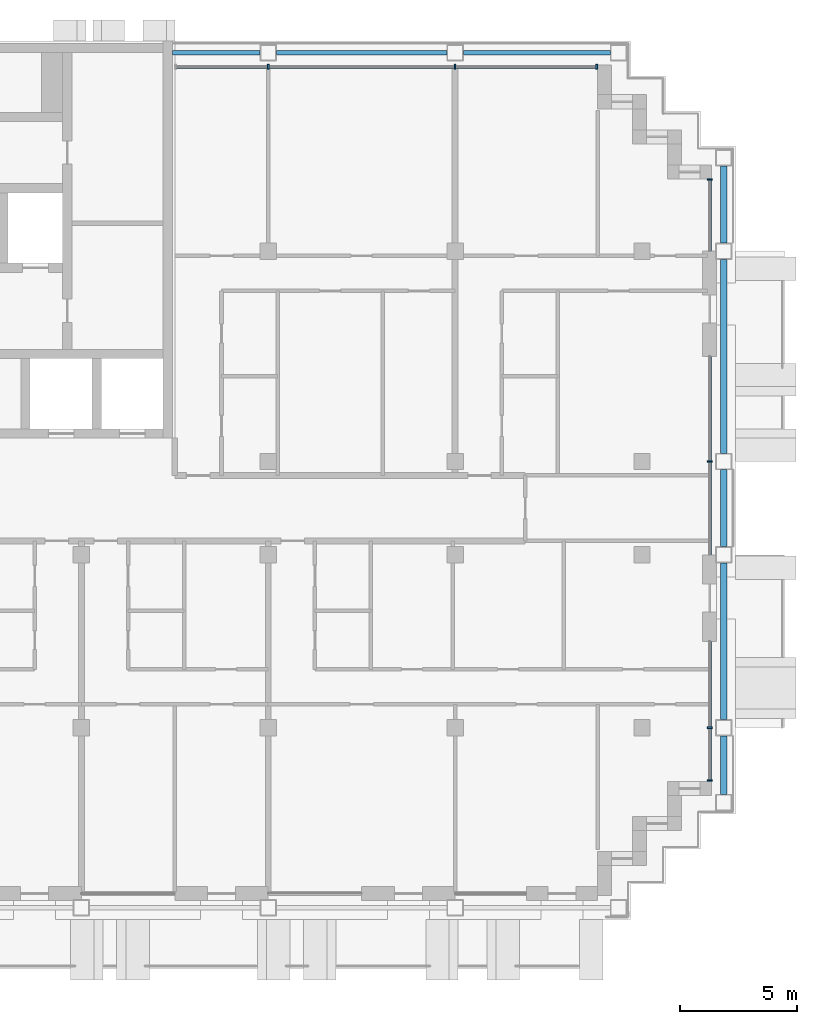
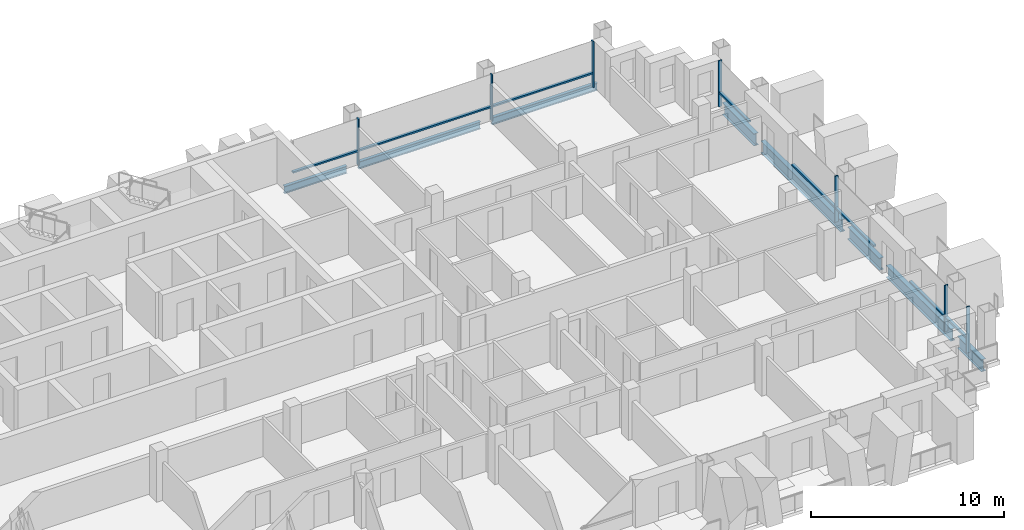
# One storey, part 5 of 16: 15 members, 8 beams, 4 elements without a shape of their own.
"""IFC4 building model written with IfcOpenShell, lengths in metres."""

from ifc_helpers import new_model, si_unit, direction, frame, origin, origin_2d, place, context, subcontext, project, spatial, rectangle, i_section, extrude, material, material_profile, profile_set, type_object, element, aggregate, save


model = new_model("IFC4")

# Units and contexts
model_context = context("Model", 3, precision=1e-05, world=origin(), true_north=direction((0.0, 1.0)))
body_context = subcontext(model_context, "Body", "Model", "MODEL_VIEW")
ifc_project = project(units=[si_unit("LENGTHUNIT", "METRE"), si_unit("AREAUNIT", "SQUARE_METRE"), si_unit("VOLUMEUNIT", "CUBIC_METRE"), si_unit("PLANEANGLEUNIT", "RADIAN"), si_unit("MASSUNIT", "GRAM", prefix="KILO")], contexts=[model_context])

# Site, building, storey
site_placement = place(None, origin())
site = spatial("IfcSite", under=ifc_project, at=site_placement, CompositionType="ELEMENT")
building_placement = place(site_placement, origin())
building = spatial("IfcBuilding", under=site, at=building_placement, Name="Vidyagriha Tower", CompositionType="ELEMENT")
storey_placement = place(building_placement, frame((0.0, 0.0, 187.699951171875)))
storey = spatial("IfcBuildingStorey", under=building, at=storey_placement, Name="L49", CompositionType="ELEMENT", Elevation=187.699951171875)

# Beams
ifc_material_1 = material(Name="Steel ASTM A992 Grade 50", Category="steel")
ifc_material_profile_1 = material_profile(ifc_material_1, i_section(OverallWidth=0.2666015625, OverallDepth=0.76953125, WebThickness=0.015625, FlangeThickness=0.025390625, at=origin_2d()), Name="W30X132")
ifc_profile_set_1 = profile_set([ifc_material_profile_1], Name="Steel ASTM A992 Grade 50")
beam_type_1 = type_object("IfcBeamType", Name="Cantilever edge beam W30X132", PredefinedType="SPANDREL", material=ifc_profile_set_1)
beam_1_placement = place(storey_placement, frame((37.5, -12.25, -0.664794921875), z_axis=(0.0, 1.0, 0.0), x_axis=(-1.0, 0.0, 0.0)))
element("IfcBeam", 1, at=beam_1_placement, inside=storey, type_object=beam_type_1, Name="st-beam-L49-E13", PredefinedType="SPANDREL", context=body_context, shape_type="SweptSolid", body=[
    extrude(i_section(OverallWidth=0.2666015625, OverallDepth=0.76953125, WebThickness=0.015625, FlangeThickness=0.025390625, at=origin_2d()), origin(), (0.0, 0.0, 1.0), 2.5),
])
beam_2_placement = place(storey_placement, frame((37.5, -9.050048828125, -0.664794921875), z_axis=(0.0, 1.0, 0.0), x_axis=(-1.0, 0.0, 0.0)))
element("IfcBeam", 2, at=beam_2_placement, inside=storey, type_object=beam_type_1, Name="st-beam-L49-E14", PredefinedType="SPANDREL", context=body_context, shape_type="SweptSolid", body=[
    extrude(i_section(OverallWidth=0.2666015625, OverallDepth=0.76953125, WebThickness=0.015625, FlangeThickness=0.025390625, at=origin_2d()), origin(), (0.0, 0.0, 1.0), 6.699951171875),
])
beam_3_placement = place(storey_placement, frame((37.5, -1.64990234375, -0.664794921875), z_axis=(0.0, 1.0, 0.0), x_axis=(-1.0, 0.0, 0.0)))
element("IfcBeam", 3, at=beam_3_placement, inside=storey, type_object=beam_type_1, Name="st-beam-L49-E15", PredefinedType="SPANDREL", context=body_context, shape_type="SweptSolid", body=[
    extrude(i_section(OverallWidth=0.2666015625, OverallDepth=0.76953125, WebThickness=0.015625, FlangeThickness=0.025390625, at=origin_2d()), origin(), (0.0, 0.0, 1.0), 3.2998046875),
])
beam_4_placement = place(storey_placement, frame((37.5, 2.35009765625, -0.664794921875), z_axis=(0.0, 1.0, 0.0), x_axis=(-1.0, 0.0, 0.0)))
element("IfcBeam", 4, at=beam_4_placement, inside=storey, type_object=beam_type_1, Name="st-beam-L49-E16", PredefinedType="SPANDREL", context=body_context, shape_type="SweptSolid", body=[
    extrude(i_section(OverallWidth=0.2666015625, OverallDepth=0.76953125, WebThickness=0.015625, FlangeThickness=0.025390625, at=origin_2d()), origin(), (0.0, 0.0, 1.0), 8.2998046875),
])
beam_5_placement = place(storey_placement, frame((37.5, 11.35009765625, -0.664794921875), z_axis=(0.0, 1.0, 0.0), x_axis=(-1.0, 0.0, 0.0)))
element("IfcBeam", 5, at=beam_5_placement, inside=storey, type_object=beam_type_1, Name="st-beam-L49-E17", PredefinedType="SPANDREL", context=body_context, shape_type="SweptSolid", body=[
    extrude(i_section(OverallWidth=0.2666015625, OverallDepth=0.76953125, WebThickness=0.015625, FlangeThickness=0.025390625, at=origin_2d()), origin(), (0.0, 0.0, 1.0), 3.2998046875),
])
ifc_material_2 = material(Name="Steel ASTM A992 Grade 50", Category="steel")
ifc_material_profile_2 = material_profile(ifc_material_2, i_section(OverallWidth=0.19189453125, OverallDepth=0.46240234375, WebThickness=0.010498046875, FlangeThickness=0.017578125, at=origin_2d()), Name="W18X60")
ifc_profile_set_2 = profile_set([ifc_material_profile_2], Name="Steel ASTM A992 Grade 50")
beam_type_2 = type_object("IfcBeamType", Name="Edge beam W18X60", PredefinedType="SPANDREL", material=ifc_profile_set_2)
beam_6_placement = place(storey_placement, frame((18.35009765625, 19.5, -0.510986328125), z_axis=(1.0, 0.0, 0.0), x_axis=(0.0, 1.0, 0.0)))
element("IfcBeam", 6, at=beam_6_placement, inside=storey, type_object=beam_type_2, Name="st-beam-L49-NE18", PredefinedType="SPANDREL", context=body_context, shape_type="SweptSolid", body=[
    extrude(i_section(OverallWidth=0.19189453125, OverallDepth=0.46240234375, WebThickness=0.010498046875, FlangeThickness=0.017578125, at=origin_2d()), origin(), (0.0, 0.0, 1.0), 7.2998046875),
])
beam_7_placement = place(storey_placement, frame((26.35009765625, 19.5, -0.510986328125), z_axis=(1.0, 0.0, 0.0), x_axis=(0.0, 1.0, 0.0)))
element("IfcBeam", 7, at=beam_7_placement, inside=storey, type_object=beam_type_2, Name="st-beam-L49-NE19", PredefinedType="SPANDREL", context=body_context, shape_type="SweptSolid", body=[
    extrude(i_section(OverallWidth=0.19189453125, OverallDepth=0.46240234375, WebThickness=0.010498046875, FlangeThickness=0.017578125, at=origin_2d()), origin(), (0.0, 0.0, 1.0), 6.2998046875),
])
beam_8_placement = place(storey_placement, frame((13.89990234375, 19.5, -0.510986328125), z_axis=(1.0, 0.0, 0.0), x_axis=(0.0, 1.0, 0.0)))
element("IfcBeam", 8, at=beam_8_placement, inside=storey, type_object=beam_type_2, Name="st-beam-L49-NC21", PredefinedType="SPANDREL", context=body_context, shape_type="SweptSolid", body=[
    extrude(i_section(OverallWidth=0.19189453125, OverallDepth=0.46240234375, WebThickness=0.010498046875, FlangeThickness=0.017578125, at=origin_2d()), origin(), (0.0, 0.0, 1.0), 3.75),
])

# Curtain wall, members
ifc_material_3 = material(Name="Aluminium and glass curtain wall", Category="aluminium")
curtain_wall_type = type_object("IfcCurtainWallType", Name="Dwelling skin unitised curtain wall", PredefinedType="USERDEFINED", material=ifc_material_3)
curtain_wall_1_placement = place(storey_placement, origin())
curtain_wall_1 = element("IfcCurtainWall", 9, at=curtain_wall_1_placement, inside=storey, type_object=curtain_wall_type, Name="CW1 dwelling skin", ObjectType="UNITISED", PredefinedType="USERDEFINED")
ifc_material_4 = material(Name="Aluminium black anodised", Category="aluminium")
ifc_material_profile_3 = material_profile(ifc_material_4, rectangle(XDim=0.199951171875, YDim=0.070068359375, at=origin_2d()), Name="Mullion 70x200 black aluminium")
ifc_profile_set_3 = profile_set([ifc_material_profile_3], Name="Aluminium black anodised")
member_type_1 = type_object("IfcMemberType", Name="Mullion 70x200 black aluminium", PredefinedType="MULLION", material=ifc_profile_set_3)
member_1_placement = place(storey_placement, frame((32.06494140625, 18.89990234375, 0.0), z_axis=(0.0, 0.0, 1.0), x_axis=(0.0, -1.0, 0.0)))
member_1 = element("IfcMember", 10, at=member_1_placement, type_object=member_type_1, Name="CW1 mullion 1", PredefinedType="MULLION", context=body_context, shape_type="SweptSolid", body=[
    extrude(rectangle(XDim=0.199951171875, YDim=0.070068359375, at=origin_2d()), origin(), (0.0, 0.0, 1.0), 2.920166015625),
])
member_2_placement = place(storey_placement, frame((26.0, 18.89990234375, 0.0), z_axis=(0.0, 0.0, 1.0), x_axis=(0.0, -1.0, 0.0)))
member_2 = element("IfcMember", 11, at=member_2_placement, type_object=member_type_1, Name="CW1 mullion 2", PredefinedType="MULLION", context=body_context, shape_type="SweptSolid", body=[
    extrude(rectangle(XDim=0.199951171875, YDim=0.070068359375, at=origin_2d()), origin(), (0.0, 0.0, 1.0), 2.920166015625),
])
member_3_placement = place(storey_placement, frame((18.0, 18.89990234375, 0.0), z_axis=(0.0, 0.0, 1.0), x_axis=(0.0, -1.0, 0.0)))
member_3 = element("IfcMember", 12, at=member_3_placement, type_object=member_type_1, Name="CW1 mullion 3", PredefinedType="MULLION", context=body_context, shape_type="SweptSolid", body=[
    extrude(rectangle(XDim=0.199951171875, YDim=0.070068359375, at=origin_2d()), origin(), (0.0, 0.0, 1.0), 2.920166015625),
])

curtain_wall_2_placement = place(storey_placement, origin())
curtain_wall_2 = element("IfcCurtainWall", 13, at=curtain_wall_2_placement, inside=storey, type_object=curtain_wall_type, Name="CW1 dwelling skin", ObjectType="UNITISED", PredefinedType="USERDEFINED")
member_4_placement = place(storey_placement, frame((36.89990234375, -11.6650390625, 0.0), z_axis=(0.0, 0.0, 1.0), x_axis=(-1.0, 0.0, 0.0)))
member_4 = element("IfcMember", 14, at=member_4_placement, type_object=member_type_1, Name="CW1 mullion 1", PredefinedType="MULLION", context=body_context, shape_type="SweptSolid", body=[
    extrude(rectangle(XDim=0.199951171875, YDim=0.070068359375, at=origin_2d()), origin(), (0.0, 0.0, 1.0), 2.920166015625),
])
member_5_placement = place(storey_placement, frame((36.89990234375, -9.39990234375, 0.0), z_axis=(0.0, 0.0, 1.0), x_axis=(-1.0, 0.0, 0.0)))
member_5 = element("IfcMember", 15, at=member_5_placement, type_object=member_type_1, Name="CW1 mullion 2", PredefinedType="MULLION", context=body_context, shape_type="SweptSolid", body=[
    extrude(rectangle(XDim=0.199951171875, YDim=0.070068359375, at=origin_2d()), origin(), (0.0, 0.0, 1.0), 2.920166015625),
])

# Curtain wall, member
curtain_wall_3_placement = place(storey_placement, origin())
curtain_wall_3 = element("IfcCurtainWall", 16, at=curtain_wall_3_placement, inside=storey, type_object=curtain_wall_type, Name="CW1 dwelling skin", ObjectType="UNITISED", PredefinedType="USERDEFINED")
member_6_placement = place(storey_placement, frame((36.89990234375, 2.0, 0.0), z_axis=(0.0, 0.0, 1.0), x_axis=(-1.0, 0.0, 0.0)))
member_6 = element("IfcMember", 17, at=member_6_placement, type_object=member_type_1, Name="CW1 mullion 2", PredefinedType="MULLION", context=body_context, shape_type="SweptSolid", body=[
    extrude(rectangle(XDim=0.199951171875, YDim=0.070068359375, at=origin_2d()), origin(), (0.0, 0.0, 1.0), 2.920166015625),
])

curtain_wall_4_placement = place(storey_placement, origin())
curtain_wall_4 = element("IfcCurtainWall", 18, at=curtain_wall_4_placement, inside=storey, type_object=curtain_wall_type, Name="CW1 dwelling skin", ObjectType="UNITISED", PredefinedType="USERDEFINED")
member_7_placement = place(storey_placement, frame((36.89990234375, 14.06494140625, 0.0), z_axis=(0.0, 0.0, 1.0), x_axis=(-1.0, 0.0, 0.0)))
member_7 = element("IfcMember", 19, at=member_7_placement, type_object=member_type_1, Name="CW1 mullion 2", PredefinedType="MULLION", context=body_context, shape_type="SweptSolid", body=[
    extrude(rectangle(XDim=0.199951171875, YDim=0.070068359375, at=origin_2d()), origin(), (0.0, 0.0, 1.0), 2.920166015625),
])

# Member
ifc_material_5 = material(Name="Aluminium black anodised", Category="aluminium")
ifc_material_profile_4 = material_profile(ifc_material_5, rectangle(XDim=0.159912109375, YDim=0.10009765625, at=origin_2d()), Name="Transom 100x160 black aluminium")
ifc_profile_set_4 = profile_set([ifc_material_profile_4], Name="Aluminium black anodised")
member_type_2 = type_object("IfcMemberType", Name="Transom 100x160 black aluminium", PredefinedType="USERDEFINED", material=ifc_profile_set_4)
member_8_placement = place(storey_placement, frame((32.030029296875, 18.89990234375, 0.900146484375), z_axis=(-1.0, 0.0, 0.0), x_axis=(0.0, -1.0, 0.0)))
member_8 = element("IfcMember", 20, at=member_8_placement, type_object=member_type_2, Name="CW1 transom 1.1", ObjectType="TRANSOM", PredefinedType="USERDEFINED", context=body_context, shape_type="SweptSolid", body=[
    extrude(rectangle(XDim=0.159912109375, YDim=0.10009765625, at=origin_2d()), origin(), (0.0, 0.0, 1.0), 5.9951171875),
])

member_9_placement = place(storey_placement, frame((25.965087890625, 18.89990234375, 0.900146484375), z_axis=(-1.0, 0.0, 0.0), x_axis=(0.0, -1.0, 0.0)))
member_9 = element("IfcMember", 21, at=member_9_placement, type_object=member_type_2, Name="CW1 transom 2.1", ObjectType="TRANSOM", PredefinedType="USERDEFINED", context=body_context, shape_type="SweptSolid", body=[
    extrude(rectangle(XDim=0.159912109375, YDim=0.10009765625, at=origin_2d()), origin(), (0.0, 0.0, 1.0), 7.93017578125),
])

member_10_placement = place(storey_placement, frame((17.965087890625, 18.89990234375, 0.900146484375), z_axis=(-1.0, 0.0, 0.0), x_axis=(0.0, -1.0, 0.0)))
member_10 = element("IfcMember", 22, at=member_10_placement, type_object=member_type_2, Name="CW1 transom 3.1", ObjectType="TRANSOM", PredefinedType="USERDEFINED", context=body_context, shape_type="SweptSolid", body=[
    extrude(rectangle(XDim=0.159912109375, YDim=0.10009765625, at=origin_2d()), origin(), (0.0, 0.0, 1.0), 3.89501953125),
])

aggregate(curtain_wall_1, [member_1, member_2, member_3, member_8, member_9, member_10])

member_11_placement = place(storey_placement, frame((36.89990234375, -11.6298828125, 0.900146484375), z_axis=(0.0, 1.0, 0.0), x_axis=(-1.0, 0.0, 0.0)))
member_11 = element("IfcMember", 23, at=member_11_placement, type_object=member_type_2, Name="CW1 transom 1.1", ObjectType="TRANSOM", PredefinedType="USERDEFINED", context=body_context, shape_type="SweptSolid", body=[
    extrude(rectangle(XDim=0.159912109375, YDim=0.10009765625, at=origin_2d()), origin(), (0.0, 0.0, 1.0), 2.19482421875),
])

member_12_placement = place(storey_placement, frame((36.89990234375, -9.364990234375, 0.900146484375), z_axis=(0.0, 1.0, 0.0), x_axis=(-1.0, 0.0, 0.0)))
member_12 = element("IfcMember", 24, at=member_12_placement, type_object=member_type_2, Name="CW1 transom 2.1", ObjectType="TRANSOM", PredefinedType="USERDEFINED", context=body_context, shape_type="SweptSolid", body=[
    extrude(rectangle(XDim=0.159912109375, YDim=0.10009765625, at=origin_2d()), origin(), (0.0, 0.0, 1.0), 3.6650390625),
])

aggregate(curtain_wall_2, [member_4, member_5, member_11, member_12])

member_13_placement = place(storey_placement, frame((36.89990234375, -2.0, 0.900146484375), z_axis=(0.0, 1.0, 0.0), x_axis=(-1.0, 0.0, 0.0)))
member_13 = element("IfcMember", 25, at=member_13_placement, type_object=member_type_2, Name="CW1 transom 1.1", ObjectType="TRANSOM", PredefinedType="USERDEFINED", context=body_context, shape_type="SweptSolid", body=[
    extrude(rectangle(XDim=0.159912109375, YDim=0.10009765625, at=origin_2d()), origin(), (0.0, 0.0, 1.0), 3.965087890625),
])

member_14_placement = place(storey_placement, frame((36.89990234375, 2.034912109375, 0.900146484375), z_axis=(0.0, 1.0, 0.0), x_axis=(-1.0, 0.0, 0.0)))
member_14 = element("IfcMember", 26, at=member_14_placement, type_object=member_type_2, Name="CW1 transom 2.1", ObjectType="TRANSOM", PredefinedType="USERDEFINED", context=body_context, shape_type="SweptSolid", body=[
    extrude(rectangle(XDim=0.159912109375, YDim=0.10009765625, at=origin_2d()), origin(), (0.0, 0.0, 1.0), 4.465087890625),
])

aggregate(curtain_wall_3, [member_6, member_13, member_14])

member_15_placement = place(storey_placement, frame((36.89990234375, 11.0, 0.900146484375), z_axis=(0.0, 1.0, 0.0), x_axis=(-1.0, 0.0, 0.0)))
member_15 = element("IfcMember", 27, at=member_15_placement, type_object=member_type_2, Name="CW1 transom 1.1", ObjectType="TRANSOM", PredefinedType="USERDEFINED", context=body_context, shape_type="SweptSolid", body=[
    extrude(rectangle(XDim=0.159912109375, YDim=0.10009765625, at=origin_2d()), origin(), (0.0, 0.0, 1.0), 3.030029296875),
])

aggregate(curtain_wall_4, [member_7, member_15])

save(model, "model.ifc")
